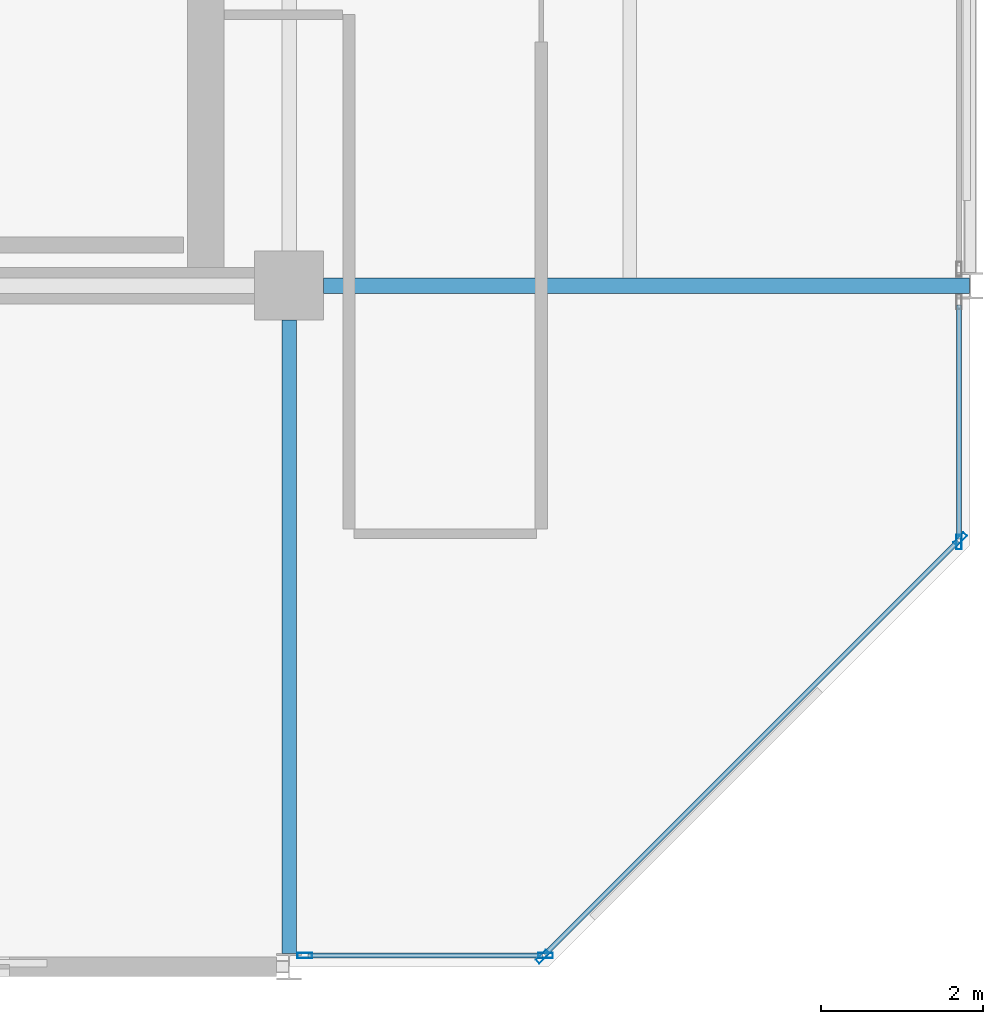
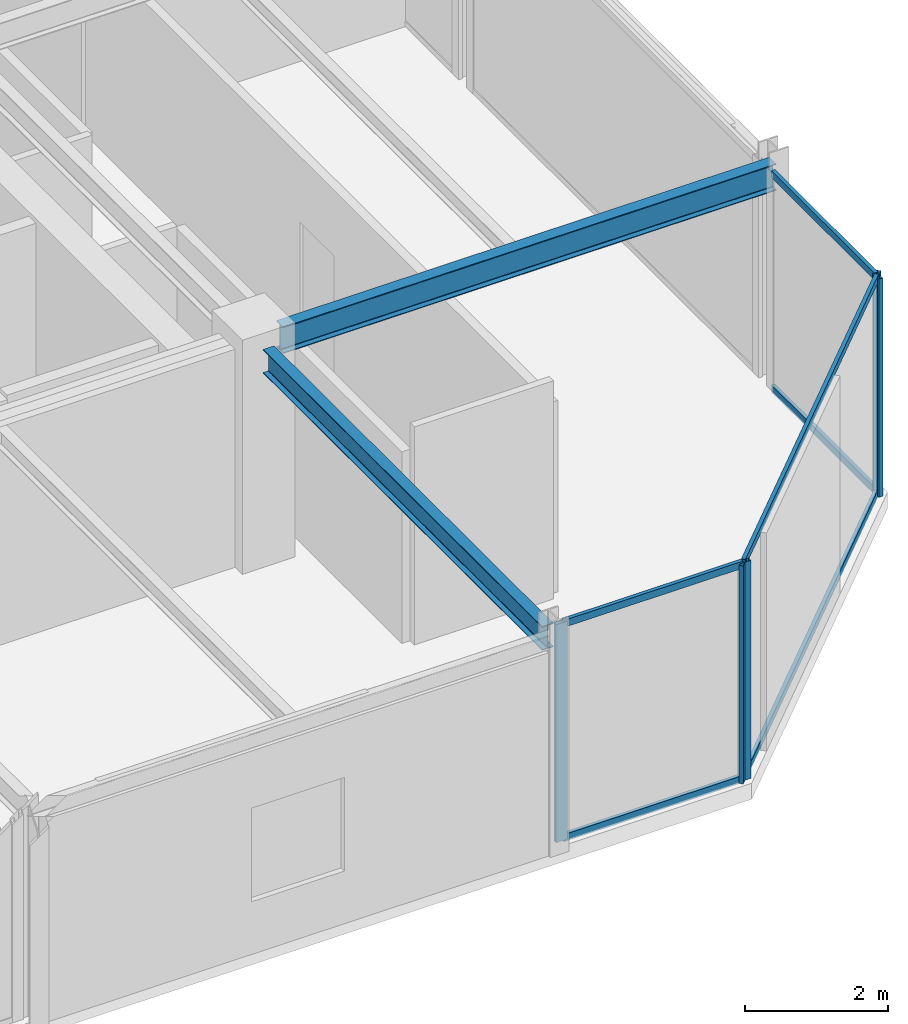
# One storey, part 14 of 26: 11 members, 2 beams, 3 elements without a shape of their own.
"""IFC4 building model written with IfcOpenShell, lengths in metres."""

from ifc_helpers import new_model, si_unit, direction, frame, origin, origin_2d, place, context, subcontext, project, spatial, hollow_rectangle, i_section, extrude, material, layer, layer_set, material_profile, profile_set, type_object, element, aggregate, save


model = new_model("IFC4")

# Units and contexts
model_context = context("Model", 3, precision=1e-05, world=origin(), true_north=direction((0.0, 1.0)))
body_context = subcontext(model_context, "Body", "Model", "MODEL_VIEW")
ifc_project = project(units=[si_unit("LENGTHUNIT", "METRE"), si_unit("AREAUNIT", "SQUARE_METRE"), si_unit("VOLUMEUNIT", "CUBIC_METRE"), si_unit("PLANEANGLEUNIT", "RADIAN"), si_unit("MASSUNIT", "GRAM", prefix="KILO")], contexts=[model_context])

# Site, building, storey
site_placement = place(None, origin())
site = spatial("IfcSite", under=ifc_project, at=site_placement, CompositionType="ELEMENT")
building_placement = place(site_placement, origin())
building = spatial("IfcBuilding", under=site, at=building_placement, Name="Nerrivon Quay Data Exchange", CompositionType="ELEMENT")
storey_placement = place(building_placement, frame((0.0, 0.0, 250.199951171875)))
storey = spatial("IfcBuildingStorey", under=building, at=storey_placement, Name="L59", CompositionType="ELEMENT", Elevation=250.199951171875)

# Beams
ifc_material_1 = material(Name="Steel Grade 350", Category="steel")
ifc_material_profile_1 = material_profile(ifc_material_1, i_section(OverallWidth=0.18994140625, OverallDepth=0.4541015625, WebThickness=0.008544921875, FlangeThickness=0.0126953125, FilletRadius=0.011474609375, at=origin_2d()), Name="460UB67.1")
ifc_profile_set_1 = profile_set([ifc_material_profile_1], Name="Steel Grade 350")
beam_type_1 = type_object("IfcBeamType", Name="BM-G6-460UB67", PredefinedType="BEAM", material=ifc_profile_set_1)
beam_1_placement = place(storey_placement, frame((34.02490234375, 8.39990234375, 3.498046875), z_axis=(1.0, 0.0, 0.0), x_axis=(0.0, 1.0, 0.0)))
element("IfcBeam", 1, at=beam_1_placement, inside=storey, type_object=beam_type_1, Name="L59 EW Girder Y=8.4 (33.6..42.0)", PredefinedType="BEAM", context=body_context, shape_type="SweptSolid", body=[
    extrude(i_section(OverallWidth=0.18994140625, OverallDepth=0.4541015625, WebThickness=0.008544921875, FlangeThickness=0.0126953125, FilletRadius=0.011474609375, at=origin_2d()), origin(), (0.0, 0.0, 1.0), 7.96728515625),
])
ifc_material_profile_2 = material_profile(ifc_material_1, i_section(OverallWidth=0.177978515625, OverallDepth=0.406005859375, WebThickness=0.0078125, FlangeThickness=0.0126953125, FilletRadius=0.011474609375, at=origin_2d()), Name="410UB59.7")
ifc_profile_set_2 = profile_set([ifc_material_profile_2], Name="Steel Grade 350")
beam_type_2 = type_object("IfcBeamType", Name="BM-J1-410UB60", PredefinedType="JOIST", material=ifc_profile_set_2)
beam_2_placement = place(storey_placement, frame((33.60009765625, 0.16357421875, 3.52197265625), z_axis=(0.0, 1.0, 0.0), x_axis=(-1.0, 0.0, 0.0)))
element("IfcBeam", 2, at=beam_2_placement, inside=storey, type_object=beam_type_2, Name="L59 NS Girder X=33.6 (0.0..8.4)", PredefinedType="JOIST", context=body_context, shape_type="SweptSolid", body=[
    extrude(i_section(OverallWidth=0.177978515625, OverallDepth=0.406005859375, WebThickness=0.0078125, FlangeThickness=0.0126953125, FilletRadius=0.011474609375, at=origin_2d()), origin(), (0.0, 0.0, 1.0), 7.8115234375),
])

# Curtain wall, members
ifc_material_2 = material(Name="Anodised aluminium 6063-T6", Category="aluminium")
ifc_layer = layer(ifc_material_2, 0.195068359375)
ifc_layer_set = layer_set([ifc_layer], Name="Anodised aluminium 6063-T6")
curtain_wall_type = type_object("IfcCurtainWallType", Name="CW-SYS-06", PredefinedType="NOTDEFINED", material=ifc_layer_set)
curtain_wall_1_placement = place(storey_placement, origin())
curtain_wall_1 = element("IfcCurtainWall", 3, at=curtain_wall_1_placement, inside=storey, type_object=curtain_wall_type, Name="L59 Unitised Curtain Wall 1", PredefinedType="NOTDEFINED")
ifc_material_profile_3 = material_profile(ifc_material_2, hollow_rectangle(XDim=0.06494140625, YDim=0.179931640625, WallThickness=0.00341796875, at=origin_2d()), Name="ALU-MULL-180x65")
ifc_profile_set_3 = profile_set([ifc_material_profile_3], Name="Anodised aluminium 6063-T6")
member_type_1 = type_object("IfcMemberType", Name="CWM-180x65", PredefinedType="MULLION", material=ifc_profile_set_3)
member_1_placement = place(storey_placement, frame((41.87451171875, 5.2724609375, 0.0), z_axis=(0.0, 0.0, 1.0), x_axis=(0.707106781187, -0.707106781187, 0.0)))
member_1 = element("IfcMember", 4, at=member_1_placement, type_object=member_type_1, Name="CW06 mullion 1", PredefinedType="MULLION", context=body_context, shape_type="SweptSolid", body=[
    extrude(hollow_rectangle(XDim=0.06494140625, YDim=0.179931640625, WallThickness=0.00341796875, at=origin_2d()), origin(), (0.0, 0.0, 1.0), 3.72509765625),
])
member_2_placement = place(storey_placement, frame((36.7275390625, 0.12548828125, 0.0), z_axis=(0.0, 0.0, 1.0), x_axis=(0.707106781187, -0.707106781187, 0.0)))
member_2 = element("IfcMember", 5, at=member_2_placement, type_object=member_type_1, Name="CW06 mullion 2", PredefinedType="MULLION", context=body_context, shape_type="SweptSolid", body=[
    extrude(hollow_rectangle(XDim=0.06494140625, YDim=0.179931640625, WallThickness=0.00341796875, at=origin_2d()), origin(), (0.0, 0.0, 1.0), 3.72509765625),
])

curtain_wall_2_placement = place(storey_placement, origin())
curtain_wall_2 = element("IfcCurtainWall", 6, at=curtain_wall_2_placement, inside=storey, type_object=curtain_wall_type, Name="L59 Unitised Curtain Wall 2", PredefinedType="NOTDEFINED")
member_3_placement = place(storey_placement, frame((36.762451171875, 0.139892578125, 0.0), z_axis=(0.0, 0.0, 1.0), x_axis=(0.0, -1.0, 0.0)))
member_3 = element("IfcMember", 7, at=member_3_placement, type_object=member_type_1, Name="CW06 mullion 1", PredefinedType="MULLION", context=body_context, shape_type="SweptSolid", body=[
    extrude(hollow_rectangle(XDim=0.06494140625, YDim=0.179931640625, WallThickness=0.00341796875, at=origin_2d()), origin(), (0.0, 0.0, 1.0), 3.72509765625),
])
member_4_placement = place(storey_placement, frame((33.79296875, 0.139892578125, 0.0), z_axis=(0.0, 0.0, 1.0), x_axis=(0.0, -1.0, 0.0)))
member_4 = element("IfcMember", 8, at=member_4_placement, type_object=member_type_1, Name="CW06 mullion 2", PredefinedType="MULLION", context=body_context, shape_type="SweptSolid", body=[
    extrude(hollow_rectangle(XDim=0.06494140625, YDim=0.179931640625, WallThickness=0.00341796875, at=origin_2d()), origin(), (0.0, 0.0, 1.0), 3.72509765625),
])

# Curtain wall, member
curtain_wall_3_placement = place(storey_placement, origin())
curtain_wall_3 = element("IfcCurtainWall", 9, at=curtain_wall_3_placement, inside=storey, type_object=curtain_wall_type, Name="L59 Unitised Curtain Wall 28", PredefinedType="NOTDEFINED")
member_5_placement = place(storey_placement, frame((41.860107421875, 5.237548828125, 0.0), z_axis=(0.0, 0.0, 1.0), x_axis=(1.0, 0.0, 0.0)))
member_5 = element("IfcMember", 10, at=member_5_placement, type_object=member_type_1, Name="CW06 mullion 2", PredefinedType="MULLION", context=body_context, shape_type="SweptSolid", body=[
    extrude(hollow_rectangle(XDim=0.06494140625, YDim=0.179931640625, WallThickness=0.00341796875, at=origin_2d()), origin(), (0.0, 0.0, 1.0), 3.72509765625),
])

# Member
ifc_material_profile_4 = material_profile(ifc_material_2, hollow_rectangle(XDim=0.06005859375, YDim=0.1201171875, WallThickness=0.003173828125, at=origin_2d()), Name="ALU-TRAN-120x60")
ifc_profile_set_4 = profile_set([ifc_material_profile_4], Name="Anodised aluminium 6063-T6")
member_type_2 = type_object("IfcMemberType", Name="CWT-120x60", PredefinedType="USERDEFINED", material=ifc_profile_set_4)
member_6_placement = place(storey_placement, frame((41.847900390625, 5.245849609375, 0.032470703125), z_axis=(-0.707106781187, -0.707106781187, 0.0), x_axis=(0.707106781187, -0.707106781187, 0.0)))
member_6 = element("IfcMember", 11, at=member_6_placement, type_object=member_type_2, Name="CW06 transom 1.1", ObjectType="TRANSOM", PredefinedType="USERDEFINED", context=body_context, shape_type="SweptSolid", body=[
    extrude(hollow_rectangle(XDim=0.06005859375, YDim=0.1201171875, WallThickness=0.003173828125, at=origin_2d()), origin(), (0.0, 0.0, 1.0), 7.20361328125),
])

member_7_placement = place(storey_placement, frame((41.847900390625, 5.245849609375, 3.692626953125), z_axis=(-0.707106781187, -0.707106781187, 0.0), x_axis=(0.707106781187, -0.707106781187, 0.0)))
member_7 = element("IfcMember", 12, at=member_7_placement, type_object=member_type_2, Name="CW06 transom 1.2", ObjectType="TRANSOM", PredefinedType="USERDEFINED", context=body_context, shape_type="SweptSolid", body=[
    extrude(hollow_rectangle(XDim=0.06005859375, YDim=0.1201171875, WallThickness=0.003173828125, at=origin_2d()), origin(), (0.0, 0.0, 1.0), 7.20361328125),
])

aggregate(curtain_wall_1, [member_1, member_2, member_6, member_7])

member_8_placement = place(storey_placement, frame((36.72509765625, 0.139892578125, 0.032470703125), z_axis=(-1.0, 0.0, 0.0), x_axis=(0.0, -1.0, 0.0)))
member_8 = element("IfcMember", 13, at=member_8_placement, type_object=member_type_2, Name="CW06 transom 1.1", ObjectType="TRANSOM", PredefinedType="USERDEFINED", context=body_context, shape_type="SweptSolid", body=[
    extrude(hollow_rectangle(XDim=0.06005859375, YDim=0.1201171875, WallThickness=0.003173828125, at=origin_2d()), origin(), (0.0, 0.0, 1.0), 2.89453125),
])

member_9_placement = place(storey_placement, frame((36.72509765625, 0.139892578125, 3.692626953125), z_axis=(-1.0, 0.0, 0.0), x_axis=(0.0, -1.0, 0.0)))
member_9 = element("IfcMember", 14, at=member_9_placement, type_object=member_type_2, Name="CW06 transom 1.2", ObjectType="TRANSOM", PredefinedType="USERDEFINED", context=body_context, shape_type="SweptSolid", body=[
    extrude(hollow_rectangle(XDim=0.06005859375, YDim=0.1201171875, WallThickness=0.003173828125, at=origin_2d()), origin(), (0.0, 0.0, 1.0), 2.89453125),
])

aggregate(curtain_wall_2, [member_3, member_4, member_8, member_9])

member_10_placement = place(storey_placement, frame((41.860107421875, 8.16162109375, 0.032470703125), z_axis=(0.0, -1.0, 0.0), x_axis=(1.0, 0.0, 0.0)))
member_10 = element("IfcMember", 15, at=member_10_placement, type_object=member_type_2, Name="CW06 transom 1.1", ObjectType="TRANSOM", PredefinedType="USERDEFINED", context=body_context, shape_type="SweptSolid", body=[
    extrude(hollow_rectangle(XDim=0.06005859375, YDim=0.1201171875, WallThickness=0.003173828125, at=origin_2d()), origin(), (0.0, 0.0, 1.0), 2.88671875),
])

member_11_placement = place(storey_placement, frame((41.860107421875, 8.16162109375, 3.692626953125), z_axis=(0.0, -1.0, 0.0), x_axis=(1.0, 0.0, 0.0)))
member_11 = element("IfcMember", 16, at=member_11_placement, type_object=member_type_2, Name="CW06 transom 1.2", ObjectType="TRANSOM", PredefinedType="USERDEFINED", context=body_context, shape_type="SweptSolid", body=[
    extrude(hollow_rectangle(XDim=0.06005859375, YDim=0.1201171875, WallThickness=0.003173828125, at=origin_2d()), origin(), (0.0, 0.0, 1.0), 2.88671875),
])

aggregate(curtain_wall_3, [member_5, member_10, member_11])

save(model, "model.ifc")
